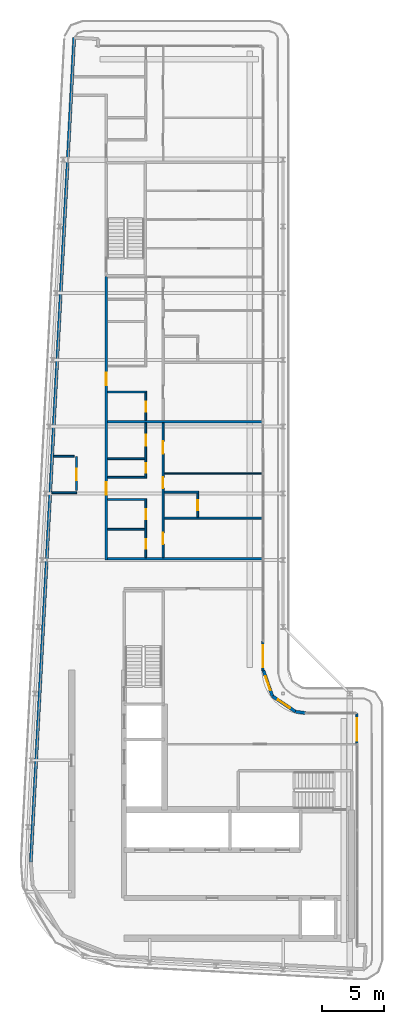
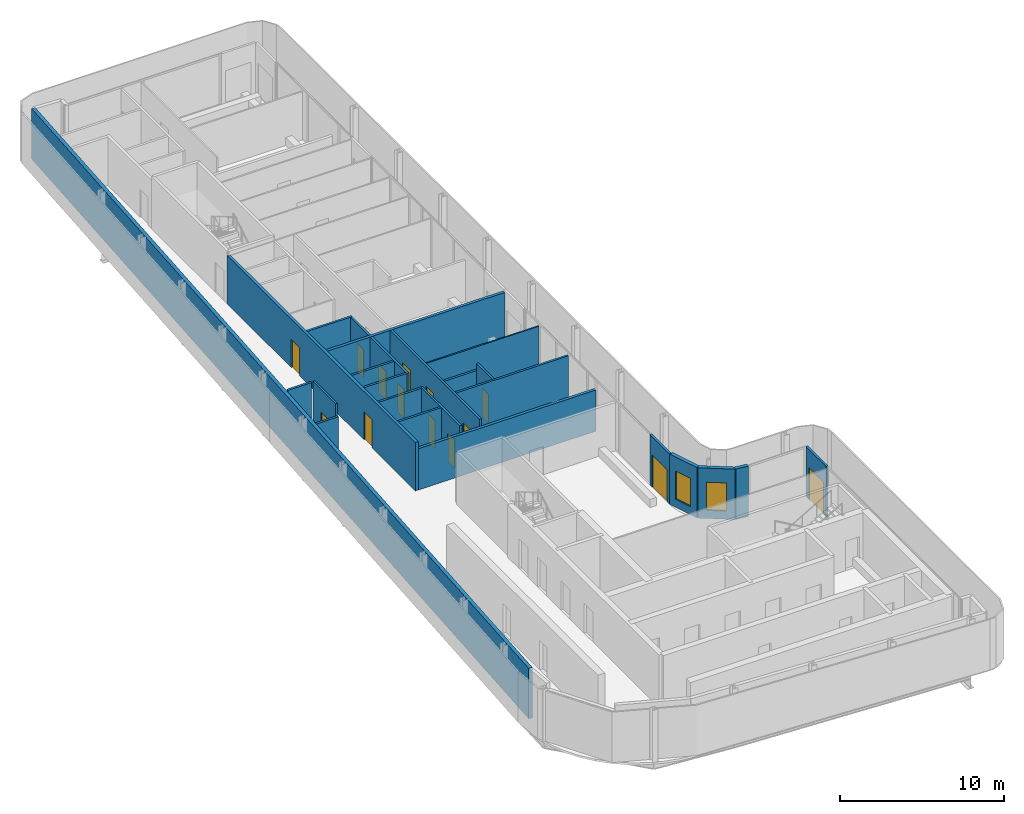
# One storey, part 10 of 18: 25 walls, 14 doors, 2 windows, 16 openings.
"""IFC4 building model written with IfcOpenShell, lengths in metres."""

from ifc_helpers import new_model, si_unit, direction, frame, frame_2d, origin, place, context, subcontext, project, spatial, rectangle, extrude, source, transform, mapped, material, layer, layer_set, type_object, element, fill, save


model = new_model("IFC4")

# Units and contexts
model_context = context("Model", 3, precision=1e-05, world=origin(), true_north=direction((0.0, 1.0)))
body_context = subcontext(model_context, "Body", "Model", "MODEL_VIEW")
ifc_project = project(units=[si_unit("LENGTHUNIT", "METRE"), si_unit("AREAUNIT", "SQUARE_METRE"), si_unit("VOLUMEUNIT", "CUBIC_METRE"), si_unit("PLANEANGLEUNIT", "RADIAN"), si_unit("MASSUNIT", "GRAM", prefix="KILO")], contexts=[model_context])

# Site, building, storey
site_placement = place(None, origin())
site = spatial("IfcSite", under=ifc_project, at=site_placement, CompositionType="ELEMENT")
building_placement = place(site_placement, origin())
building = spatial("IfcBuilding", under=site, at=building_placement, Name="Kheshtan School and Residences Tower", CompositionType="ELEMENT")
storey_placement = place(building_placement, frame((0.0, 0.0, 369.5)))
storey = spatial("IfcBuildingStorey", under=building, at=storey_placement, Name="L87", CompositionType="ELEMENT", Elevation=369.5)

# Wall, openings, doors
ifc_material_1 = material(Name="Gypsum board on steel studs with fire boards", Category="steel")
ifc_layer_1 = layer(ifc_material_1, 0.199951171875)
ifc_layer_set_1 = layer_set([ifc_layer_1], Name="Corridor wall 200")
wall_type_1 = type_object("IfcWallType", Name="Corridor wall 200", PredefinedType="PARTITIONING", material=ifc_layer_set_1)
wall_1_placement = place(storey_placement, frame((33.300048828125, 56.39990234375, 0.0), z_axis=(0.0, 0.0, 1.0), x_axis=(0.0, 1.0, 0.0)))
wall_1 = element("IfcWall", 1, at=wall_1_placement, inside=storey, type_object=wall_type_1, Name="Partition L87-003", PredefinedType="PARTITIONING", context=body_context, shape_type="SweptSolid", body=[
    extrude(rectangle(XDim=22.9501953125, YDim=0.199951171875, at=frame_2d((11.47509765625, 0.0))), origin(), (0.0, 0.0, 1.0), 3.60009765625),
])
opening_1_placement = place(wall_1_placement, frame((5.300048828125, 0.0, 0.0)))
opening_1 = element("IfcOpeningElement", 2, at=opening_1_placement, cuts=wall_1, Name="Opening D87-005", PredefinedType="OPENING", context=body_context, shape_type="SweptSolid", body=[
    extrude(rectangle(XDim=1.0, YDim=2.10009765625, at=frame_2d((0.5, 1.050048828125))), frame((0.0, 0.10986328125, 0.0), z_axis=(0.0, -1.0, 0.0), x_axis=(1.0, 0.0, 0.0)), (0.0, 0.0, 1.0), 0.219970703125),
])
opening_2_placement = place(wall_1_placement, frame((14.14990234375, 0.0, 0.0)))
opening_2 = element("IfcOpeningElement", 3, at=opening_2_placement, cuts=wall_1, Name="Opening D87-013", PredefinedType="OPENING", context=body_context, shape_type="SweptSolid", body=[
    extrude(rectangle(XDim=1.0, YDim=2.10009765625, at=frame_2d((0.5, 1.050048828125))), frame((0.0, 0.10986328125, 0.0), z_axis=(0.0, -1.0, 0.0), x_axis=(1.0, 0.0, 0.0)), (0.0, 0.0, 1.0), 0.219970703125),
])
ifc_material_2 = material(Name="Steel-framed fire-resisting door leaf", Category="steel")
door_type_1 = type_object("IfcDoorType", Name="Fire door FD30S 1000 x 2100", OperationType="SINGLE_SWING_LEFT", PredefinedType="DOOR", material=ifc_material_2)
shared_shape_1 = source(origin(), body_context, "Body", "SweptSolid", [
    extrude(rectangle(XDim=1.0, YDim=2.10009765625, at=frame_2d((0.5, 1.050048828125))), frame((0.0, 0.02490234375, 0.0), z_axis=(0.0, -1.0, 0.0), x_axis=(1.0, 0.0, 0.0)), (0.0, 0.0, 1.0), 0.050048828125),
])
door_1_placement = place(opening_1_placement, origin())
door_1 = element("IfcDoor", 4, at=door_1_placement, inside=storey, type_object=door_type_1, Name="Door D87-005", OperationType="SINGLE_SWING_RIGHT", OverallHeight=2.10009765625, OverallWidth=1.0, PredefinedType="DOOR", context=body_context, shape_type="MappedRepresentation", body=[
    mapped(shared_shape_1, transform((0.0, 0.0, 0.0), x_axis=(1.0, 0.0, 0.0), y_axis=(0.0, 1.0, 0.0), z_axis=(0.0, 0.0, 1.0), scale=1.0)),
])
fill(opening_1, door_1)
door_2_placement = place(opening_2_placement, origin())
door_2 = element("IfcDoor", 5, at=door_2_placement, inside=storey, type_object=door_type_1, Name="Door D87-013", OperationType="SINGLE_SWING_LEFT", OverallHeight=2.10009765625, OverallWidth=1.0, PredefinedType="DOOR", context=body_context, shape_type="MappedRepresentation", body=[
    mapped(shared_shape_1, transform((0.0, 0.0, 0.0), x_axis=(1.0, 0.0, 0.0), y_axis=(0.0, 1.0, 0.0), z_axis=(0.0, 0.0, 1.0), scale=1.0)),
])
fill(opening_2, door_2)

# Walls
wall_2_placement = place(storey_placement, frame((33.39990234375, 56.5, 0.0), z_axis=(0.0, 0.0, 1.0), x_axis=(1.0, 0.0, 0.0)))
element("IfcWall", 6, at=wall_2_placement, inside=storey, type_object=wall_type_1, Name="Partition L87-005", PredefinedType="PARTITIONING", context=body_context, shape_type="SweptSolid", body=[
    extrude(rectangle(XDim=12.5, YDim=0.199951171875, at=frame_2d((6.25, 0.0))), origin(), (0.0, 0.0, 1.0), 3.072021484375),
])
ifc_material_3 = material(Name="Concrete C40/50 with ceramic cladding and mineral wool insulation", Category="concrete")
ifc_layer_2 = layer(ifc_material_3, 0.25)
ifc_layer_set_2 = layer_set([ifc_layer_2], Name="External wall 250 ceramic clad")
wall_type_2 = type_object("IfcWallType", Name="External wall 250 ceramic clad", PredefinedType="SOLIDWALL", material=ifc_layer_set_2)
wall_3_placement = place(storey_placement, frame((27.195068359375, 31.968994140625, 0.0), z_axis=(0.0, 0.0, 1.0), x_axis=(0.052554995867, 0.998618031286, 0.0)))
element("IfcWall", 7, at=wall_3_placement, inside=storey, type_object=wall_type_2, Name="External wall L87 4", PredefinedType="SOLIDWALL", context=body_context, shape_type="SweptSolid", body=[
    extrude(rectangle(XDim=66.787353515625, YDim=0.25, at=frame_2d((33.3935546875, 0.0))), origin(), (0.0, 0.0, 1.0), 3.75),
])

# Wall, opening, window
wall_4_placement = place(storey_placement, frame((46.01806640625, 47.470947265625, 0.0), z_axis=(0.0, 0.0, 1.0), x_axis=(0.328791208903, -0.944402637093, 0.0)))
wall_4 = element("IfcWall", 8, at=wall_4_placement, inside=storey, type_object=wall_type_2, Name="External wall L87 9", PredefinedType="SOLIDWALL", context=body_context, shape_type="SweptSolid", body=[
    extrude(rectangle(XDim=2.20458984375, YDim=0.25, at=frame_2d((1.102294921875, 0.0))), origin(), (0.0, 0.0, 1.0), 3.75),
])
opening_3_placement = place(wall_4_placement, frame((0.5029296875, 0.0, 0.60009765625)))
opening_3 = element("IfcOpeningElement", 9, at=opening_3_placement, cuts=wall_4, Name="Opening WN-E", PredefinedType="OPENING", context=body_context, shape_type="SweptSolid", body=[
    extrude(rectangle(XDim=1.199951171875, YDim=2.10009765625, at=frame_2d((0.60009765625, 1.050048828125))), frame((0.0, 0.135009765625, 0.0), z_axis=(0.0, -1.0, 0.0), x_axis=(1.0, 0.0, 0.0)), (0.0, 0.0, 1.0), 0.27001953125),
])
ifc_material_4 = material(Name="Clear low-e glass in thermally broken aluminium frame", Category="aluminium")
window_type = type_object("IfcWindowType", Name="Window WN-E", PartitioningType="SINGLE_PANEL", PredefinedType="WINDOW", material=ifc_material_4)
shared_shape_2 = source(origin(), body_context, "Body", "SweptSolid", [
    extrude(rectangle(XDim=1.199951171875, YDim=2.10009765625, at=frame_2d((0.60009765625, 1.050048828125))), frame((0.0, 0.030029296875, 0.0), z_axis=(0.0, -1.0, 0.0), x_axis=(1.0, 0.0, 0.0)), (0.0, 0.0, 1.0), 0.06005859375),
])
window_1_placement = place(opening_3_placement, origin())
window_1 = element("IfcWindow", 10, at=window_1_placement, inside=storey, type_object=window_type, Name="Window L87 9", OverallHeight=2.10009765625, OverallWidth=1.199951171875, PartitioningType="SINGLE_PANEL", PredefinedType="WINDOW", context=body_context, shape_type="MappedRepresentation", body=[
    mapped(shared_shape_2, transform((0.0, 0.0, 0.0), x_axis=(1.0, 0.0, 0.0), y_axis=(0.0, 1.0, 0.0), z_axis=(0.0, 0.0, 1.0), scale=1.0)),
])
fill(opening_3, window_1)

wall_5_placement = place(storey_placement, frame((46.742919921875, 45.388916015625, 0.0), z_axis=(0.0, 0.0, 1.0), x_axis=(0.831449265529, -0.555600682912, 0.0)))
wall_5 = element("IfcWall", 11, at=wall_5_placement, inside=storey, type_object=wall_type_2, Name="External wall L87 10", PredefinedType="SOLIDWALL", context=body_context, shape_type="SweptSolid", body=[
    extrude(rectangle(XDim=2.25146484375, YDim=0.25, at=frame_2d((1.125732421875, 0.0))), origin(), (0.0, 0.0, 1.0), 3.75),
])
opening_4_placement = place(wall_5_placement, frame((0.52490234375, 0.0, 0.60009765625)))
opening_4 = element("IfcOpeningElement", 12, at=opening_4_placement, cuts=wall_5, Name="Opening WN-E", PredefinedType="OPENING", context=body_context, shape_type="SweptSolid", body=[
    extrude(rectangle(XDim=1.199951171875, YDim=2.10009765625, at=frame_2d((0.60009765625, 1.050048828125))), frame((0.0, 0.135009765625, 0.0), z_axis=(0.0, -1.0, 0.0), x_axis=(1.0, 0.0, 0.0)), (0.0, 0.0, 1.0), 0.27001953125),
])
window_2_placement = place(opening_4_placement, origin())
window_2 = element("IfcWindow", 13, at=window_2_placement, inside=storey, type_object=window_type, Name="Window L87 10", OverallHeight=2.10009765625, OverallWidth=1.199951171875, PartitioningType="SINGLE_PANEL", PredefinedType="WINDOW", context=body_context, shape_type="MappedRepresentation", body=[
    mapped(shared_shape_2, transform((0.0, 0.0, 0.0), x_axis=(1.0, 0.0, 0.0), y_axis=(0.0, 1.0, 0.0), z_axis=(0.0, 0.0, 1.0), scale=1.0)),
])
fill(opening_4, window_2)

# Wall
wall_6_placement = place(storey_placement, frame((48.614990234375, 44.137939453125, 0.0), z_axis=(0.0, 0.0, 1.0), x_axis=(0.990741504246, -0.135761819977, 0.0)))
element("IfcWall", 14, at=wall_6_placement, inside=storey, type_object=wall_type_2, Name="External wall L87 11", PredefinedType="SOLIDWALL", context=body_context, shape_type="SweptSolid", body=[
    extrude(rectangle(XDim=0.83984375, YDim=0.25, at=frame_2d((0.419921875, 0.0))), origin(), (0.0, 0.0, 1.0), 3.75),
])

# Wall, opening, door
ifc_material_5 = material(Name="Aluminium frame wall with insulated infill", Category="aluminium")
ifc_layer_3 = layer(ifc_material_5, 0.14990234375)
ifc_layer_set_3 = layer_set([ifc_layer_3], Name="Glazing frame wall 150")
wall_type_3 = type_object("IfcWallType", Name="Glazing frame wall 150", PredefinedType="SOLIDWALL", material=ifc_layer_set_3)
wall_7_placement = place(storey_placement, frame((45.97509765625, 49.830078125, 0.0), z_axis=(0.0, 0.0, 1.0), x_axis=(0.0, -1.0, 0.0)))
wall_7 = element("IfcWall", 15, at=wall_7_placement, inside=storey, type_object=wall_type_3, Name="Balcony door wall L87 8.5", PredefinedType="SOLIDWALL", context=body_context, shape_type="SweptSolid", body=[
    extrude(rectangle(XDim=2.400146484375, YDim=0.14990234375, at=frame_2d((1.2001953125, 0.0))), origin(), (0.0, 0.0, 1.0), 3.75),
])
opening_5_placement = place(wall_7_placement, frame((0.300048828125, 0.0, 0.0)))
opening_5 = element("IfcOpeningElement", 16, at=opening_5_placement, cuts=wall_7, Name="Opening BD", PredefinedType="OPENING", context=body_context, shape_type="SweptSolid", body=[
    extrude(rectangle(XDim=1.800048828125, YDim=2.39990234375, at=frame_2d((0.89990234375, 1.199951171875))), frame((0.0, 0.0849609375, 0.0), z_axis=(0.0, -1.0, 0.0), x_axis=(1.0, 0.0, 0.0)), (0.0, 0.0, 1.0), 0.169921875),
])
door_type_2 = type_object("IfcDoorType", Name="Balcony sliding door", OperationType="SLIDING_TO_LEFT", PredefinedType="DOOR", material=ifc_material_4)
shared_shape_3 = source(origin(), body_context, "Body", "SweptSolid", [
    extrude(rectangle(XDim=1.800048828125, YDim=2.39990234375, at=frame_2d((0.89990234375, 1.199951171875))), frame((0.0, 0.02490234375, 0.0), z_axis=(0.0, -1.0, 0.0), x_axis=(1.0, 0.0, 0.0)), (0.0, 0.0, 1.0), 0.050048828125),
])
door_3_placement = place(opening_5_placement, origin())
door_3 = element("IfcDoor", 17, at=door_3_placement, inside=storey, type_object=door_type_2, Name="Balcony door L87 8.5", OperationType="SLIDING_TO_LEFT", OverallHeight=2.39990234375, OverallWidth=1.800048828125, PredefinedType="DOOR", context=body_context, shape_type="MappedRepresentation", body=[
    mapped(shared_shape_3, transform((0.0, 0.0, 0.0), x_axis=(1.0, 0.0, 0.0), y_axis=(0.0, 1.0, 0.0), z_axis=(0.0, 0.0, 1.0), scale=1.0)),
])
fill(opening_5, door_3)

wall_8_placement = place(storey_placement, frame((53.574951171875, 43.970947265625, 0.0), z_axis=(0.0, 0.0, 1.0), x_axis=(0.0, -1.0, 0.0)))
wall_8 = element("IfcWall", 18, at=wall_8_placement, inside=storey, type_object=wall_type_3, Name="Balcony door wall L87 13.1", PredefinedType="SOLIDWALL", context=body_context, shape_type="SweptSolid", body=[
    extrude(rectangle(XDim=2.470947265625, YDim=0.14990234375, at=frame_2d((1.2353515625, 0.0))), origin(), (0.0, 0.0, 1.0), 3.75),
])
opening_6_placement = place(wall_8_placement, frame((0.37109375, 0.0, 0.0)))
opening_6 = element("IfcOpeningElement", 19, at=opening_6_placement, cuts=wall_8, Name="Opening BD", PredefinedType="OPENING", context=body_context, shape_type="SweptSolid", body=[
    extrude(rectangle(XDim=1.800048828125, YDim=2.39990234375, at=frame_2d((0.89990234375, 1.199951171875))), frame((0.0, 0.0849609375, 0.0), z_axis=(0.0, -1.0, 0.0), x_axis=(1.0, 0.0, 0.0)), (0.0, 0.0, 1.0), 0.169921875),
])
door_4_placement = place(opening_6_placement, origin())
door_4 = element("IfcDoor", 20, at=door_4_placement, inside=storey, type_object=door_type_2, Name="Balcony door L87 13.1", OperationType="SLIDING_TO_LEFT", OverallHeight=2.39990234375, OverallWidth=1.800048828125, PredefinedType="DOOR", context=body_context, shape_type="MappedRepresentation", body=[
    mapped(shared_shape_3, transform((0.0, 0.0, 0.0), x_axis=(1.0, 0.0, 0.0), y_axis=(0.0, 1.0, 0.0), z_axis=(0.0, 0.0, 1.0), scale=1.0)),
])
fill(opening_6, door_4)

# Walls
ifc_material_6 = material(Name="Gypsum board on steel studs", Category="steel")
ifc_layer_4 = layer(ifc_material_6, 0.10009765625)
ifc_layer_set_4 = layer_set([ifc_layer_4], Name="Gypsum partition 100")
wall_type_4 = type_object("IfcWallType", Name="Gypsum partition 100", PredefinedType="PARTITIONING", material=ifc_layer_set_4)
wall_9_placement = place(storey_placement, frame((37.97509765625, 63.39990234375, 0.0), z_axis=(0.0, 0.0, 1.0), x_axis=(1.0, 0.0, 0.0)))
element("IfcWall", 21, at=wall_9_placement, inside=storey, type_object=wall_type_4, Name="Partition L87-034", PredefinedType="PARTITIONING", context=body_context, shape_type="SweptSolid", body=[
    extrude(rectangle(XDim=7.9248046875, YDim=0.10009765625, at=frame_2d((3.96240234375, 0.0))), origin(), (0.0, 0.0, 1.0), 3.60009765625),
])
ifc_material_7 = material(Name="Fire-board shaft wall system")
ifc_layer_5 = layer(ifc_material_7, 0.14990234375)
ifc_layer_set_5 = layer_set([ifc_layer_5], Name="Service room wall 150")
wall_type_5 = type_object("IfcWallType", Name="Service room wall 150", PredefinedType="PARTITIONING", material=ifc_layer_set_5)
wall_10_placement = place(storey_placement, frame((28.89501953125, 61.85107421875, 0.0), z_axis=(0.0, 0.0, 1.0), x_axis=(1.0, 0.0, 0.0)))
element("IfcWall", 22, at=wall_10_placement, inside=storey, type_object=wall_type_5, Name="Service room wall", PredefinedType="PARTITIONING", context=body_context, shape_type="SweptSolid", body=[
    extrude(rectangle(XDim=2.0048828125, YDim=0.14990234375, at=frame_2d((1.00244140625, 0.0))), origin(), (0.0, 0.0, 1.0), 3.072021484375),
])

# Wall, opening, door
wall_11_placement = place(storey_placement, frame((30.89990234375, 62.0458984375, 0.0), z_axis=(0.0, 0.0, 1.0), x_axis=(0.0, 1.0, 0.0)))
wall_11 = element("IfcWall", 23, at=wall_11_placement, inside=storey, type_object=wall_type_5, Name="Service room wall", PredefinedType="PARTITIONING", context=body_context, shape_type="SweptSolid", body=[
    extrude(rectangle(XDim=2.754150390625, YDim=0.14990234375, at=frame_2d((1.376953125, 0.0))), origin(), (0.0, 0.0, 1.0), 3.89990234375),
])
opening_7_placement = place(wall_11_placement, frame((0.830078125, 0.0, 0.0)))
opening_7 = element("IfcOpeningElement", 24, at=opening_7_placement, cuts=wall_11, Name="Opening SR90", PredefinedType="OPENING", context=body_context, shape_type="SweptSolid", body=[
    extrude(rectangle(XDim=0.89990234375, YDim=2.199951171875, at=frame_2d((0.449951171875, 1.10009765625))), frame((0.0, 0.0849609375, 0.0), z_axis=(0.0, -1.0, 0.0), x_axis=(1.0, 0.0, 0.0)), (0.0, 0.0, 1.0), 0.169921875),
])
ifc_material_8 = material(Name="Steel door leaf, galvanised", Category="steel")
door_type_3 = type_object("IfcDoorType", Name="Service room door 900 steel 90 min", OperationType="SINGLE_SWING_LEFT", PredefinedType="DOOR", material=ifc_material_8)
shared_shape_4 = source(origin(), body_context, "Body", "SweptSolid", [
    extrude(rectangle(XDim=0.89990234375, YDim=2.199951171875, at=frame_2d((0.449951171875, 1.10009765625))), frame((0.0, 0.02490234375, 0.0), z_axis=(0.0, -1.0, 0.0), x_axis=(1.0, 0.0, 0.0)), (0.0, 0.0, 1.0), 0.050048828125),
])
door_5_placement = place(opening_7_placement, origin())
door_5 = element("IfcDoor", 25, at=door_5_placement, inside=storey, type_object=door_type_3, Name="Service room door", OperationType="SINGLE_SWING_LEFT", OverallHeight=2.199951171875, OverallWidth=0.89990234375, PredefinedType="DOOR", context=body_context, shape_type="MappedRepresentation", body=[
    mapped(shared_shape_4, transform((0.0, 0.0, 0.0), x_axis=(1.0, 0.0, 0.0), y_axis=(0.0, 1.0, 0.0), z_axis=(0.0, 0.0, 1.0), scale=1.0)),
])
fill(opening_7, door_5)

# Walls
wall_12_placement = place(storey_placement, frame((29.050048828125, 64.800048828125, 0.0), z_axis=(0.0, 0.0, 1.0), x_axis=(1.0, 0.0, 0.0)))
element("IfcWall", 26, at=wall_12_placement, inside=storey, type_object=wall_type_5, Name="Service room wall", PredefinedType="PARTITIONING", context=body_context, shape_type="SweptSolid", body=[
    extrude(rectangle(XDim=1.655029296875, YDim=0.14990234375, at=frame_2d((0.82763671875, 0.0))), origin(), (0.0, 0.0, 1.0), 3.89990234375),
])
ifc_material_9 = material(Name="Twin gypsum board on steel studs with mineral wool", Category="steel")
ifc_layer_6 = layer(ifc_material_9, 0.199951171875)
ifc_layer_set_6 = layer_set([ifc_layer_6], Name="Unit demising wall 200")
wall_type_6 = type_object("IfcWallType", Name="Unit demising wall 200", PredefinedType="PARTITIONING", material=ifc_layer_set_6)
wall_13_placement = place(storey_placement, frame((33.39990234375, 67.60009765625, 0.0), z_axis=(0.0, 0.0, 1.0), x_axis=(1.0, 0.0, 0.0)))
element("IfcWall", 27, at=wall_13_placement, inside=storey, type_object=wall_type_6, Name="Partition L87-010", PredefinedType="PARTITIONING", context=body_context, shape_type="SweptSolid", body=[
    extrude(rectangle(XDim=12.5, YDim=0.199951171875, at=frame_2d((6.25, 0.0))), origin(), (0.0, 0.0, 1.0), 3.60009765625),
])
ifc_material_10 = material(Name="Moisture-resistant gypsum board on steel studs", Category="steel")
ifc_layer_7 = layer(ifc_material_10, 0.14990234375)
ifc_layer_set_7 = layer_set([ifc_layer_7], Name="Wet-room partition 150")
wall_type_7 = type_object("IfcWallType", Name="Wet-room partition 150", PredefinedType="PARTITIONING", material=ifc_layer_set_7)
for number, where, z_axis, x_axis, name in (
    (28, (33.39990234375, 58.89990234375, 0.0), (0.0, 0.0, 1.0), (1.0, 0.0, 0.0), "Partition L87-006"),
    (29, (33.39990234375, 61.300048828125, 0.0), (0.0, 0.0, 1.0), (1.0, 0.0, 0.0), "Partition L87-007"),
    (30, (33.39990234375, 63.10009765625, 0.0), (0.0, 0.0, 1.0), (1.0, 0.0, 0.0), "Partition L87-008"),
    (31, (33.39990234375, 64.60009765625, 0.0), (0.0, 0.0, 1.0), (1.0, 0.0, 0.0), "Partition L87-009"),
):
    element("IfcWall", number, at=place(storey_placement, frame(where, z_axis=z_axis, x_axis=x_axis)), inside=storey, type_object=wall_type_7, Name=name, PredefinedType="PARTITIONING", context=body_context, shape_type="SweptSolid", body=[
        extrude(rectangle(XDim=3.025146484375, YDim=0.14990234375, at=frame_2d((1.5126953125, 0.0))), origin(), (0.0, 0.0, 1.0), 3.60009765625),
    ])
wall_14_placement = place(storey_placement, frame((33.39990234375, 70.0, 0.0), z_axis=(0.0, 0.0, 1.0), x_axis=(1.0, 0.0, 0.0)))
element("IfcWall", 32, at=wall_14_placement, inside=storey, type_object=wall_type_7, Name="Partition L87-011", PredefinedType="PARTITIONING", context=body_context, shape_type="SweptSolid", body=[
    extrude(rectangle(XDim=3.175048828125, YDim=0.14990234375, at=frame_2d((1.58740234375, 0.0))), origin(), (0.0, 0.0, 1.0), 3.60009765625),
])

# Wall, openings, doors
wall_15_placement = place(storey_placement, frame((36.5, 56.60009765625, 0.0), z_axis=(0.0, 0.0, 1.0), x_axis=(0.0, 1.0, 0.0)))
wall_15 = element("IfcWall", 33, at=wall_15_placement, inside=storey, type_object=wall_type_7, Name="Partition L87-019", PredefinedType="PARTITIONING", context=body_context, shape_type="SweptSolid", body=[
    extrude(rectangle(XDim=4.77490234375, YDim=0.14990234375, at=frame_2d((2.387451171875, 0.0))), origin(), (0.0, 0.0, 1.0), 3.60009765625),
])
opening_8_placement = place(wall_15_placement, frame((3.10009765625, 0.0, 0.0)))
opening_8 = element("IfcOpeningElement", 34, at=opening_8_placement, cuts=wall_15, Name="Opening D87-001", PredefinedType="OPENING", context=body_context, shape_type="SweptSolid", body=[
    extrude(rectangle(XDim=0.800048828125, YDim=2.10009765625, at=frame_2d((0.39990234375, 1.050048828125))), frame((0.0, 0.0849609375, 0.0), z_axis=(0.0, -1.0, 0.0), x_axis=(1.0, 0.0, 0.0)), (0.0, 0.0, 1.0), 0.169921875),
])
opening_9_placement = place(wall_15_placement, frame((0.699951171875, 0.0, 0.0)))
opening_9 = element("IfcOpeningElement", 35, at=opening_9_placement, cuts=wall_15, Name="Opening D87-003", PredefinedType="OPENING", context=body_context, shape_type="SweptSolid", body=[
    extrude(rectangle(XDim=0.800048828125, YDim=2.10009765625, at=frame_2d((0.39990234375, 1.050048828125))), frame((0.0, 0.0849609375, 0.0), z_axis=(0.0, -1.0, 0.0), x_axis=(1.0, 0.0, 0.0)), (0.0, 0.0, 1.0), 0.169921875),
])
ifc_material_11 = material(Name="Veneered timber door leaf", Category="wood")
door_type_4 = type_object("IfcDoorType", Name="Door 800 x 2100", OperationType="SINGLE_SWING_LEFT", PredefinedType="DOOR", material=ifc_material_11)
shared_shape_5 = source(origin(), body_context, "Body", "SweptSolid", [
    extrude(rectangle(XDim=0.800048828125, YDim=2.10009765625, at=frame_2d((0.39990234375, 1.050048828125))), frame((0.0, 0.02490234375, 0.0), z_axis=(0.0, -1.0, 0.0), x_axis=(1.0, 0.0, 0.0)), (0.0, 0.0, 1.0), 0.050048828125),
])
door_6_placement = place(opening_8_placement, origin())
door_6 = element("IfcDoor", 36, at=door_6_placement, inside=storey, type_object=door_type_4, Name="Door D87-001", OperationType="SINGLE_SWING_LEFT", OverallHeight=2.10009765625, OverallWidth=0.800048828125, PredefinedType="DOOR", context=body_context, shape_type="MappedRepresentation", body=[
    mapped(shared_shape_5, transform((0.0, 0.0, 0.0), x_axis=(1.0, 0.0, 0.0), y_axis=(0.0, 1.0, 0.0), z_axis=(0.0, 0.0, 1.0), scale=1.0)),
])
fill(opening_8, door_6)
door_7_placement = place(opening_9_placement, origin())
door_7 = element("IfcDoor", 37, at=door_7_placement, inside=storey, type_object=door_type_4, Name="Door D87-003", OperationType="SINGLE_SWING_LEFT", OverallHeight=2.10009765625, OverallWidth=0.800048828125, PredefinedType="DOOR", context=body_context, shape_type="MappedRepresentation", body=[
    mapped(shared_shape_5, transform((0.0, 0.0, 0.0), x_axis=(1.0, 0.0, 0.0), y_axis=(0.0, 1.0, 0.0), z_axis=(0.0, 0.0, 1.0), scale=1.0)),
])
fill(opening_9, door_7)

wall_16_placement = place(storey_placement, frame((36.5, 63.02490234375, 0.0), z_axis=(0.0, 0.0, 1.0), x_axis=(0.0, 1.0, 0.0)))
wall_16 = element("IfcWall", 38, at=wall_16_placement, inside=storey, type_object=wall_type_7, Name="Partition L87-020", PredefinedType="PARTITIONING", context=body_context, shape_type="SweptSolid", body=[
    extrude(rectangle(XDim=4.47509765625, YDim=0.14990234375, at=frame_2d((2.237548828125, 0.0))), origin(), (0.0, 0.0, 1.0), 3.60009765625),
])
opening_10_placement = place(wall_16_placement, frame((2.625, 0.0, 0.0)))
opening_10 = element("IfcOpeningElement", 39, at=opening_10_placement, cuts=wall_16, Name="Opening D87-006", PredefinedType="OPENING", context=body_context, shape_type="SweptSolid", body=[
    extrude(rectangle(XDim=0.89990234375, YDim=2.10009765625, at=frame_2d((0.449951171875, 1.050048828125))), frame((0.0, 0.0849609375, 0.0), z_axis=(0.0, -1.0, 0.0), x_axis=(1.0, 0.0, 0.0)), (0.0, 0.0, 1.0), 0.169921875),
])
opening_11_placement = place(wall_16_placement, frame((0.425048828125, 0.0, 0.0)))
opening_11 = element("IfcOpeningElement", 40, at=opening_11_placement, cuts=wall_16, Name="Opening D87-009", PredefinedType="OPENING", context=body_context, shape_type="SweptSolid", body=[
    extrude(rectangle(XDim=0.800048828125, YDim=2.10009765625, at=frame_2d((0.39990234375, 1.050048828125))), frame((0.0, 0.0849609375, 0.0), z_axis=(0.0, -1.0, 0.0), x_axis=(1.0, 0.0, 0.0)), (0.0, 0.0, 1.0), 0.169921875),
])
door_8_placement = place(opening_11_placement, origin())
door_8 = element("IfcDoor", 41, at=door_8_placement, inside=storey, type_object=door_type_4, Name="Door D87-009", OperationType="SINGLE_SWING_RIGHT", OverallHeight=2.10009765625, OverallWidth=0.800048828125, PredefinedType="DOOR", context=body_context, shape_type="MappedRepresentation", body=[
    mapped(shared_shape_5, transform((0.0, 0.0, 0.0), x_axis=(1.0, 0.0, 0.0), y_axis=(0.0, 1.0, 0.0), z_axis=(0.0, 0.0, 1.0), scale=1.0)),
])
fill(opening_11, door_8)
door_type_5 = type_object("IfcDoorType", Name="Door 900 x 2100", OperationType="SINGLE_SWING_LEFT", PredefinedType="DOOR", material=ifc_material_11)
shared_shape_6 = source(origin(), body_context, "Body", "SweptSolid", [
    extrude(rectangle(XDim=0.89990234375, YDim=2.10009765625, at=frame_2d((0.449951171875, 1.050048828125))), frame((0.0, 0.02490234375, 0.0), z_axis=(0.0, -1.0, 0.0), x_axis=(1.0, 0.0, 0.0)), (0.0, 0.0, 1.0), 0.050048828125),
])
door_9_placement = place(opening_10_placement, origin())
door_9 = element("IfcDoor", 42, at=door_9_placement, inside=storey, type_object=door_type_5, Name="Door D87-006", OperationType="SINGLE_SWING_RIGHT", OverallHeight=2.10009765625, OverallWidth=0.89990234375, PredefinedType="DOOR", context=body_context, shape_type="MappedRepresentation", body=[
    mapped(shared_shape_6, transform((0.0, 0.0, 0.0), x_axis=(1.0, 0.0, 0.0), y_axis=(0.0, 1.0, 0.0), z_axis=(0.0, 0.0, 1.0), scale=1.0)),
])
fill(opening_10, door_9)

# Wall, opening, door
wall_17_placement = place(storey_placement, frame((36.5, 67.699951171875, 0.0), z_axis=(0.0, 0.0, 1.0), x_axis=(0.0, 1.0, 0.0)))
wall_17 = element("IfcWall", 43, at=wall_17_placement, inside=storey, type_object=wall_type_7, Name="Partition L87-021", PredefinedType="PARTITIONING", context=body_context, shape_type="SweptSolid", body=[
    extrude(rectangle(XDim=2.22509765625, YDim=0.14990234375, at=frame_2d((1.112548828125, 0.0))), origin(), (0.0, 0.0, 1.0), 3.60009765625),
])
opening_12_placement = place(wall_17_placement, frame((0.699951171875, 0.0, 0.0)))
opening_12 = element("IfcOpeningElement", 44, at=opening_12_placement, cuts=wall_17, Name="Opening D87-010", PredefinedType="OPENING", context=body_context, shape_type="SweptSolid", body=[
    extrude(rectangle(XDim=0.800048828125, YDim=2.10009765625, at=frame_2d((0.39990234375, 1.050048828125))), frame((0.0, 0.0849609375, 0.0), z_axis=(0.0, -1.0, 0.0), x_axis=(1.0, 0.0, 0.0)), (0.0, 0.0, 1.0), 0.169921875),
])
door_10_placement = place(opening_12_placement, origin())
door_10 = element("IfcDoor", 45, at=door_10_placement, inside=storey, type_object=door_type_4, Name="Door D87-010", OperationType="SINGLE_SWING_LEFT", OverallHeight=2.10009765625, OverallWidth=0.800048828125, PredefinedType="DOOR", context=body_context, shape_type="MappedRepresentation", body=[
    mapped(shared_shape_5, transform((0.0, 0.0, 0.0), x_axis=(1.0, 0.0, 0.0), y_axis=(0.0, 1.0, 0.0), z_axis=(0.0, 0.0, 1.0), scale=1.0)),
])
fill(opening_12, door_10)

# Wall, openings, doors
wall_18_placement = place(storey_placement, frame((37.89990234375, 56.60009765625, 0.0), z_axis=(0.0, 0.0, 1.0), x_axis=(0.0, 1.0, 0.0)))
wall_18 = element("IfcWall", 46, at=wall_18_placement, inside=storey, type_object=wall_type_7, Name="Partition L87-028", PredefinedType="PARTITIONING", context=body_context, shape_type="SweptSolid", body=[
    extrude(rectangle(XDim=10.89990234375, YDim=0.14990234375, at=frame_2d((5.449951171875, 0.0))), origin(), (0.0, 0.0, 1.0), 3.60009765625),
])
opening_13_placement = place(wall_18_placement, frame((1.10009765625, 0.0, 0.0)))
opening_13 = element("IfcOpeningElement", 47, at=opening_13_placement, cuts=wall_18, Name="Opening D87-002", PredefinedType="OPENING", context=body_context, shape_type="SweptSolid", body=[
    extrude(rectangle(XDim=0.89990234375, YDim=2.10009765625, at=frame_2d((0.449951171875, 1.050048828125))), frame((0.0, 0.0849609375, 0.0), z_axis=(0.0, -1.0, 0.0), x_axis=(1.0, 0.0, 0.0)), (0.0, 0.0, 1.0), 0.169921875),
])
opening_14_placement = place(wall_18_placement, frame((8.39990234375, 0.0, 0.0)))
opening_14 = element("IfcOpeningElement", 48, at=opening_14_placement, cuts=wall_18, Name="Opening D87-007", PredefinedType="OPENING", context=body_context, shape_type="SweptSolid", body=[
    extrude(rectangle(XDim=1.0, YDim=2.10009765625, at=frame_2d((0.5, 1.050048828125))), frame((0.0, 0.0849609375, 0.0), z_axis=(0.0, -1.0, 0.0), x_axis=(1.0, 0.0, 0.0)), (0.0, 0.0, 1.0), 0.169921875),
])
opening_15_placement = place(wall_18_placement, frame((5.60009765625, 0.0, 0.0)))
opening_15 = element("IfcOpeningElement", 49, at=opening_15_placement, cuts=wall_18, Name="Opening D87-008", PredefinedType="OPENING", context=body_context, shape_type="SweptSolid", body=[
    extrude(rectangle(XDim=0.89990234375, YDim=2.10009765625, at=frame_2d((0.449951171875, 1.050048828125))), frame((0.0, 0.0849609375, 0.0), z_axis=(0.0, -1.0, 0.0), x_axis=(1.0, 0.0, 0.0)), (0.0, 0.0, 1.0), 0.169921875),
])
door_type_6 = type_object("IfcDoorType", Name="Door 1000 x 2100", OperationType="SINGLE_SWING_LEFT", PredefinedType="DOOR", material=ifc_material_11)
shared_shape_7 = source(origin(), body_context, "Body", "SweptSolid", [
    extrude(rectangle(XDim=1.0, YDim=2.10009765625, at=frame_2d((0.5, 1.050048828125))), frame((0.0, 0.02490234375, 0.0), z_axis=(0.0, -1.0, 0.0), x_axis=(1.0, 0.0, 0.0)), (0.0, 0.0, 1.0), 0.050048828125),
])
door_11_placement = place(opening_14_placement, origin())
door_11 = element("IfcDoor", 50, at=door_11_placement, inside=storey, type_object=door_type_6, Name="Door D87-007", OperationType="SINGLE_SWING_RIGHT", OverallHeight=2.10009765625, OverallWidth=1.0, PredefinedType="DOOR", context=body_context, shape_type="MappedRepresentation", body=[
    mapped(shared_shape_7, transform((0.0, 0.0, 0.0), x_axis=(1.0, 0.0, 0.0), y_axis=(0.0, 1.0, 0.0), z_axis=(0.0, 0.0, 1.0), scale=1.0)),
])
fill(opening_14, door_11)
door_12_placement = place(opening_13_placement, origin())
door_12 = element("IfcDoor", 51, at=door_12_placement, inside=storey, type_object=door_type_5, Name="Door D87-002", OperationType="SINGLE_SWING_LEFT", OverallHeight=2.10009765625, OverallWidth=0.89990234375, PredefinedType="DOOR", context=body_context, shape_type="MappedRepresentation", body=[
    mapped(shared_shape_6, transform((0.0, 0.0, 0.0), x_axis=(1.0, 0.0, 0.0), y_axis=(0.0, 1.0, 0.0), z_axis=(0.0, 0.0, 1.0), scale=1.0)),
])
fill(opening_13, door_12)
door_13_placement = place(opening_15_placement, origin())
door_13 = element("IfcDoor", 52, at=door_13_placement, inside=storey, type_object=door_type_5, Name="Door D87-008", OperationType="SINGLE_SWING_RIGHT", OverallHeight=2.10009765625, OverallWidth=0.89990234375, PredefinedType="DOOR", context=body_context, shape_type="MappedRepresentation", body=[
    mapped(shared_shape_6, transform((0.0, 0.0, 0.0), x_axis=(1.0, 0.0, 0.0), y_axis=(0.0, 1.0, 0.0), z_axis=(0.0, 0.0, 1.0), scale=1.0)),
])
fill(opening_15, door_13)

# Walls
wall_19_placement = place(storey_placement, frame((37.97509765625, 59.800048828125, 0.0), z_axis=(0.0, 0.0, 1.0), x_axis=(1.0, 0.0, 0.0)))
element("IfcWall", 53, at=wall_19_placement, inside=storey, type_object=wall_type_7, Name="Partition L87-032", PredefinedType="PARTITIONING", context=body_context, shape_type="SweptSolid", body=[
    extrude(rectangle(XDim=7.9248046875, YDim=0.14990234375, at=frame_2d((3.96240234375, 0.0))), origin(), (0.0, 0.0, 1.0), 3.60009765625),
])
wall_20_placement = place(storey_placement, frame((37.97509765625, 61.89990234375, 0.0), z_axis=(0.0, 0.0, 1.0), x_axis=(1.0, 0.0, 0.0)))
element("IfcWall", 54, at=wall_20_placement, inside=storey, type_object=wall_type_7, Name="Partition L87-033", PredefinedType="PARTITIONING", context=body_context, shape_type="SweptSolid", body=[
    extrude(rectangle(XDim=2.7998046875, YDim=0.14990234375, at=frame_2d((1.39990234375, 0.0))), origin(), (0.0, 0.0, 1.0), 3.072021484375),
])

# Wall, opening, door
wall_21_placement = place(storey_placement, frame((40.699951171875, 59.875, 0.0), z_axis=(0.0, 0.0, 1.0), x_axis=(0.0, 1.0, 0.0)))
wall_21 = element("IfcWall", 55, at=wall_21_placement, inside=storey, type_object=wall_type_7, Name="Partition L87-039", PredefinedType="PARTITIONING", context=body_context, shape_type="SweptSolid", body=[
    extrude(rectangle(XDim=1.949951171875, YDim=0.14990234375, at=frame_2d((0.97509765625, 0.0))), origin(), (0.0, 0.0, 1.0), 3.60009765625),
])
opening_16_placement = place(wall_21_placement, frame((0.574951171875, 0.0, 0.0)))
opening_16 = element("IfcOpeningElement", 56, at=opening_16_placement, cuts=wall_21, Name="Opening D87-004", PredefinedType="OPENING", context=body_context, shape_type="SweptSolid", body=[
    extrude(rectangle(XDim=0.800048828125, YDim=2.10009765625, at=frame_2d((0.39990234375, 1.050048828125))), frame((0.0, 0.0849609375, 0.0), z_axis=(0.0, -1.0, 0.0), x_axis=(1.0, 0.0, 0.0)), (0.0, 0.0, 1.0), 0.169921875),
])
door_14_placement = place(opening_16_placement, origin())
door_14 = element("IfcDoor", 57, at=door_14_placement, inside=storey, type_object=door_type_4, Name="Door D87-004", OperationType="SINGLE_SWING_RIGHT", OverallHeight=2.10009765625, OverallWidth=0.800048828125, PredefinedType="DOOR", context=body_context, shape_type="MappedRepresentation", body=[
    mapped(shared_shape_5, transform((0.0, 0.0, 0.0), x_axis=(1.0, 0.0, 0.0), y_axis=(0.0, 1.0, 0.0), z_axis=(0.0, 0.0, 1.0), scale=1.0)),
])
fill(opening_16, door_14)

save(model, "model.ifc")
